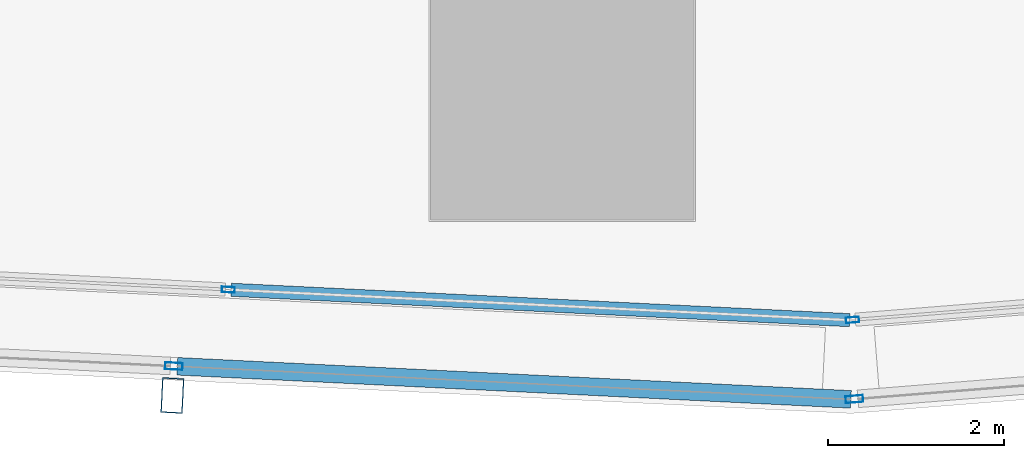
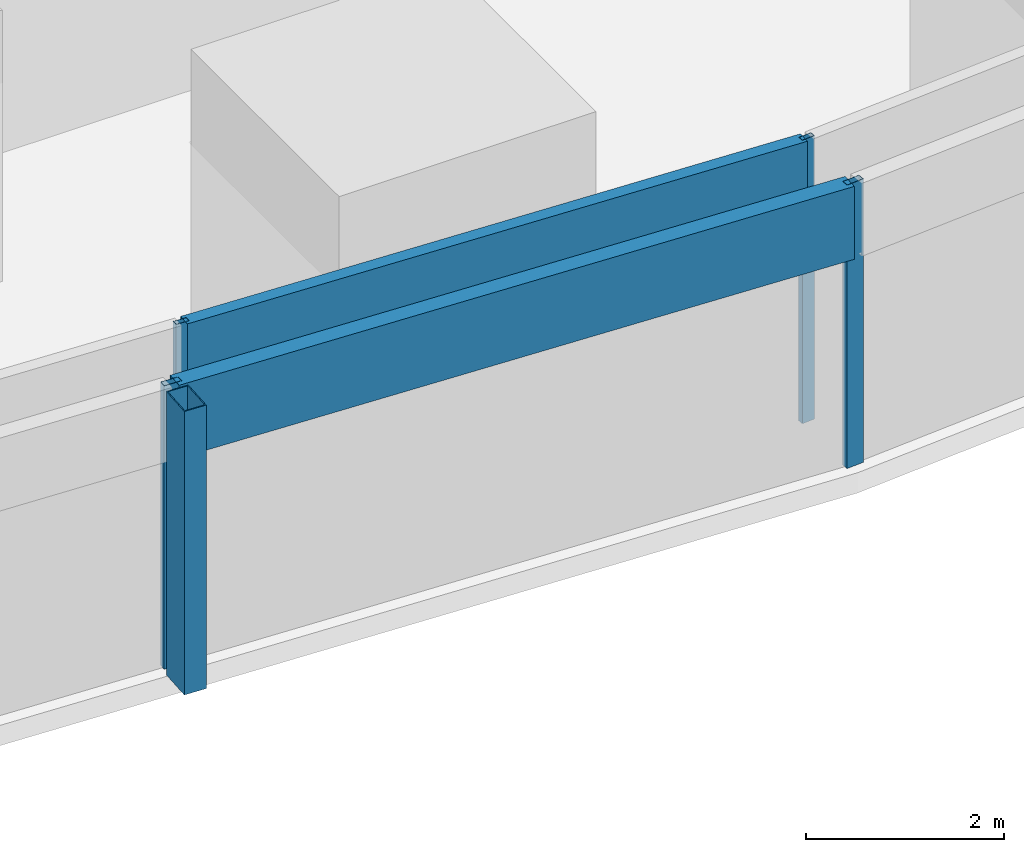
# One storey, part 9 of 45: 7 members, 4 elements without a shape of their own.
"""IFC4 building model written with IfcOpenShell, lengths in metres."""

import ifcopenshell
import ifcopenshell.guid

model = None  # the IFC model being written
_history = None  # IfcOwnerHistory: only IFC2X3 demands one
_inside = {}  # id of a spatial element -> (the spatial element, [elements in it])
_under = {}  # id of a project, library or spatial element -> (it, [spatial elements below it])
_declared = {}  # id of a project -> (the project, [libraries it declares])
_typed = {}  # id of a type object -> (the type object, [elements of that type])
_made_of = {}  # id of a material, layer set ... -> (it, [elements and type objects made of it])


def new_model(schema):
    """Start an empty IFC model of exactly this schema.

    Asked for "IFC4X3", IfcOpenShell would pick the latest addendum, in which some entities
    have other attributes; the version numbers below select the first issue.
    IFC2X3 requires an IfcOwnerHistory on every rooted entity: one is made here for all.
    """
    global model, _history
    if schema == "IFC4X3":
        model = ifcopenshell.file(schema_version=(4, 3, 0, 0))
    else:
        model = ifcopenshell.file(schema=schema)
    _inside.clear()
    _under.clear()
    _declared.clear()
    _typed.clear()
    _made_of.clear()
    _history = None
    if model.schema == "IFC2X3":
        org = make("IfcOrganization", Name="unknown")
        user = make(
            "IfcPersonAndOrganization",
            ThePerson=make("IfcPerson", FamilyName="unknown"),
            TheOrganization=org,
        )
        app = make(
            "IfcApplication",
            ApplicationDeveloper=org,
            Version="unknown",
            ApplicationFullName="unknown",
            ApplicationIdentifier="unknown",
        )
        _history = make(
            "IfcOwnerHistory",
            OwningUser=user,
            OwningApplication=app,
            ChangeAction="ADDED",
            CreationDate=0,
        )
    return model


def make(cls, **values):
    """One entity of the class cls with the attributes given. An attribute that is None is left unset."""
    return model.create_entity(
        cls, **{name: value for name, value in values.items() if value is not None}
    )


def rooted(cls, **values):
    """An entity with a GlobalId (a new one), such as an element, a storey or a relation."""
    return make(cls, GlobalId=ifcopenshell.guid.new(), OwnerHistory=_history, **values)


def si_unit(unit_type, name, prefix=None):
    """IfcSIUnit, for example si_unit("LENGTHUNIT", "METRE", prefix="MILLI")."""
    return make("IfcSIUnit", UnitType=unit_type, Prefix=prefix, Name=name)


def assignment(units):
    """IfcUnitAssignment: the units of a project."""
    return None if units is None else make("IfcUnitAssignment", Units=units)


def point(xyz):
    """IfcCartesianPoint."""
    return None if xyz is None else make("IfcCartesianPoint", Coordinates=xyz)


def direction(xyz):
    """IfcDirection."""
    return None if xyz is None else make("IfcDirection", DirectionRatios=xyz)


def frame(location, z_axis=None, x_axis=None):
    """IfcAxis2Placement3D, a coordinate frame: its origin and axes. An axis left out is left unset."""
    return make(
        "IfcAxis2Placement3D",
        Location=point(location),
        Axis=direction(z_axis),
        RefDirection=direction(x_axis),
    )


def frame_2d(location, x_axis=None):
    """IfcAxis2Placement2D, a coordinate frame in the plane: its origin and x axis."""
    return make(
        "IfcAxis2Placement2D", Location=point(location), RefDirection=direction(x_axis)
    )


def origin():
    """The frame at (0, 0, 0) with its axes left unset."""
    return frame((0.0, 0.0, 0.0))


def origin_2d():
    """The frame at (0, 0) in the plane with its x axis left unset."""
    return frame_2d((0.0, 0.0))


def place(relative_to, where):
    """IfcLocalPlacement: puts the frame where relative to a parent placement (None: the world)."""
    return make(
        "IfcLocalPlacement", PlacementRelTo=relative_to, RelativePlacement=where
    )


def context(
    kind, dimensions, precision=None, world=None, true_north=None, identifier=None
):
    """IfcGeometricRepresentationContext, for example the 3D "Model" context."""
    return make(
        "IfcGeometricRepresentationContext",
        ContextIdentifier=identifier,
        ContextType=kind,
        CoordinateSpaceDimension=dimensions,
        Precision=precision,
        WorldCoordinateSystem=world,
        TrueNorth=true_north,
    )


def subcontext(parent, identifier, kind, view, scale=None):
    """IfcGeometricRepresentationSubContext, for example "Body" below "Model"."""
    return make(
        "IfcGeometricRepresentationSubContext",
        ContextIdentifier=identifier,
        ContextType=kind,
        ParentContext=parent,
        TargetScale=scale,
        TargetView=view,
    )


def project(units=None, contexts=None):
    """IfcProject with its units and contexts."""
    return rooted(
        "IfcProject",
        Name="project",
        RepresentationContexts=contexts,
        UnitsInContext=assignment(units),
    )


def spatial(cls, under=None, at=None, **own):
    """A site, building, storey or space (cls), placed at a placement, below another one or the project."""
    s = rooted(cls, ObjectPlacement=at, **own)
    if under is not None:
        _under.setdefault(under.id(), (under, []))[1].append(s)
    return s


def profile(cls, at=None, kind="AREA", **sizes):
    """A parametric profile (cls). Its sizes go by their IFC names, for example OverallWidth=200.0."""
    return make(cls, ProfileType=kind, Position=at, **sizes)


def hollow_rectangle(**sizes):
    """IfcRectangleHollowProfileDef."""
    return profile("IfcRectangleHollowProfileDef", **sizes)


def extrude(swept, where, along, depth):
    """IfcExtrudedAreaSolid: the profile swept, set in the frame where, extruded along a direction by depth."""
    return make(
        "IfcExtrudedAreaSolid",
        SweptArea=swept,
        Position=where,
        ExtrudedDirection=direction(along),
        Depth=depth,
    )


def shape(context_of_items, identifier, shape_type, items):
    """IfcShapeRepresentation: the items that make up one representation, for example the "Body"."""
    return make(
        "IfcShapeRepresentation",
        ContextOfItems=context_of_items,
        RepresentationIdentifier=identifier,
        RepresentationType=shape_type,
        Items=items,
    )


def material(Name=None, Category=None):
    """IfcMaterial."""
    return make("IfcMaterial", Name=Name, Category=Category)


def material_profile(
    of_material, cross_section, Name=None, Category=None, Priority=None
):
    """IfcMaterialProfile: a cross section and its material."""
    return make(
        "IfcMaterialProfile",
        Name=Name,
        Material=of_material,
        Profile=cross_section,
        Priority=Priority,
        Category=Category,
    )


def profile_set(profiles, Name=None, composite=None):
    """IfcMaterialProfileSet."""
    return make(
        "IfcMaterialProfileSet",
        Name=Name,
        MaterialProfiles=profiles,
        CompositeProfile=composite,
    )


def made_of(thing, what):
    """Note that an element or type object is made of a material, layer set ...; save() writes the relation."""
    if what is not None:
        _made_of.setdefault(what.id(), (what, []))[1].append(thing)
    return thing


def type_object(cls, material=None, **own):
    """A type object (cls), such as IfcWallType, which elements share."""
    return made_of(rooted(cls, **own), material)


def element(
    cls,
    number,
    at=None,
    inside=None,
    cuts=None,
    type_object=None,
    material=None,
    context=None,
    identifier="Body",
    shape_type=None,
    held_by="IfcProductDefinitionShape",
    body=None,
    shapes=None,
    **own,
):
    """One element of the class cls, such as IfcWall. Its Tag is "e" and its number.

    at: its placement. inside: the storey or other place that contains it. cuts: it is an
    opening in that element (IfcRelVoidsElement). A single representation is given by context,
    identifier, shape_type and body (its items); several are given by shapes. held_by: the class
    of the entity that holds the representations. save() writes the other relations.
    """
    e = rooted(cls, Tag="e%d" % number, ObjectPlacement=at, **own)
    if body is not None:
        shapes = [shape(context, identifier, shape_type, body)]
    if shapes is not None:
        e.Representation = make(held_by, Representations=shapes)
    if inside is not None:
        _inside.setdefault(inside.id(), (inside, []))[1].append(e)
    if cuts is not None:
        rooted(
            "IfcRelVoidsElement", RelatingBuildingElement=cuts, RelatedOpeningElement=e
        )
    if type_object is not None:
        _typed.setdefault(type_object.id(), (type_object, []))[1].append(e)
    return made_of(e, material)


def aggregate(whole, parts):
    """IfcRelAggregates: a whole, such as a stair, and the parts it consists of."""
    return rooted("IfcRelAggregates", RelatingObject=whole, RelatedObjects=parts)


def save(model, path):
    """Write the relations noted so far, then the file.

    IfcRelAggregates (storeys below a building ...), IfcRelContainedInSpatialStructure (elements
    in a storey), IfcRelDefinesByType, IfcRelAssociatesMaterial and IfcRelDeclares: one each for
    every whole, place, type object, material and project.
    """
    for whole, parts in _under.values():
        aggregate(whole, parts)
    for where, things in _inside.values():
        rooted(
            "IfcRelContainedInSpatialStructure",
            RelatedElements=things,
            RelatingStructure=where,
        )
    for kind, things in _typed.values():
        rooted("IfcRelDefinesByType", RelatedObjects=things, RelatingType=kind)
    for what, things in _made_of.values():
        rooted("IfcRelAssociatesMaterial", RelatedObjects=things, RelatingMaterial=what)
    for by, libraries in _declared.values():
        rooted("IfcRelDeclares", RelatingContext=by, RelatedDefinitions=libraries)
    model.write(path)


model = new_model("IFC4")

# Units and contexts
model_context = context("Model", 3, precision=1e-05, world=origin(), true_north=direction((0.0, 1.0)))
body_context = subcontext(model_context, "Body", "Model", "MODEL_VIEW")
ifc_project = project(units=[si_unit("LENGTHUNIT", "METRE"), si_unit("AREAUNIT", "SQUARE_METRE"), si_unit("VOLUMEUNIT", "CUBIC_METRE"), si_unit("PLANEANGLEUNIT", "RADIAN"), si_unit("MASSUNIT", "GRAM", prefix="KILO")], contexts=[model_context])

# Site, building, storey
site_placement = place(None, origin())
site = spatial("IfcSite", under=ifc_project, at=site_placement, CompositionType="ELEMENT")
building_placement = place(site_placement, origin())
building = spatial("IfcBuilding", under=site, at=building_placement, Name="Rekha Terrace Tower", CompositionType="ELEMENT")
storey_placement = place(building_placement, frame((0.0, 0.0, 77.89990234375)))
storey = spatial("IfcBuildingStorey", under=building, at=storey_placement, Name="L19", CompositionType="ELEMENT", Elevation=77.89990234375)

# Curtain wall, member
ifc_material_1 = material(Name="Aluminium framing", Category="aluminium")
curtain_wall_type_1 = type_object("IfcCurtainWallType", Name="CW2 double skin outer glazing", PredefinedType="USERDEFINED", material=ifc_material_1)
curtain_wall_1_placement = place(storey_placement, origin())
curtain_wall_1 = element("IfcCurtainWall", 1, at=curtain_wall_1_placement, inside=storey, type_object=curtain_wall_type_1, Name="CW2 double skin outer glazing", ObjectType="DOUBLE SKIN OUTER GLAZING", PredefinedType="USERDEFINED")
ifc_material_2 = material(Name="Steel S355 with fluorocarbon finish", Category="steel")
ifc_material_profile_1 = material_profile(ifc_material_2, hollow_rectangle(XDim=0.25, YDim=0.39990234375, WallThickness=0.012451171875, at=origin_2d()), Name="RHS400x250x12.5")
ifc_profile_set_1 = profile_set([ifc_material_profile_1], Name="Steel S355 with fluorocarbon finish")
member_type_1 = type_object("IfcMemberType", Name="BL1 facade blade RHS 400 x 250", PredefinedType="USERDEFINED", material=ifc_profile_set_1)
member_1_placement = place(storey_placement, frame((37.562744140625, 4.904296875, 0.0), z_axis=(0.0, 0.0, 1.0), x_axis=(0.998796226835, -0.049051985279, 0.0)))
member_1 = element("IfcMember", 2, at=member_1_placement, type_object=member_type_1, Name="Facade blade", ObjectType="FACADE BLADE", PredefinedType="USERDEFINED", context=body_context, shape_type="SweptSolid", body=[
    extrude(hollow_rectangle(XDim=0.25, YDim=0.39990234375, WallThickness=0.012451171875, at=origin_2d()), origin(), (0.0, 0.0, 1.0), 3.5),
])

curtain_wall_type_2 = type_object("IfcCurtainWallType", Name="CW1 double skin inner glazing", PredefinedType="USERDEFINED", material=ifc_material_1)
curtain_wall_2_placement = place(storey_placement, origin())
curtain_wall_2 = element("IfcCurtainWall", 3, at=curtain_wall_2_placement, inside=storey, type_object=curtain_wall_type_2, Name="CW1 double skin inner glazing", ObjectType="DOUBLE SKIN INNER GLAZING", PredefinedType="USERDEFINED")
ifc_material_3 = material(Name="Aluminium mullion section", Category="aluminium")
ifc_material_profile_2 = material_profile(ifc_material_3, hollow_rectangle(XDim=0.06494140625, YDim=0.14990234375, WallThickness=0.00390625, at=origin_2d()), Name="AL RHS 65x150")
ifc_profile_set_2 = profile_set([ifc_material_profile_2], Name="Aluminium mullion section")
member_type_2 = type_object("IfcMemberType", Name="CW1 mullion RHS 65 x 150", PredefinedType="MULLION", material=ifc_profile_set_2)
member_2_placement = place(storey_placement, frame((38.19873046875, 6.109375, 0.0), z_axis=(0.0, 0.0, 1.0), x_axis=(0.049051717763, 0.998796239973, 0.0)))
member_2 = element("IfcMember", 4, at=member_2_placement, type_object=member_type_2, Name="CW1 mullion 3", PredefinedType="MULLION", context=body_context, shape_type="SweptSolid", body=[
    extrude(hollow_rectangle(XDim=0.06494140625, YDim=0.14990234375, WallThickness=0.00390625, at=origin_2d()), origin(), (0.0, 0.0, 1.0), 3.5),
])

curtain_wall_3_placement = place(storey_placement, origin())
curtain_wall_3 = element("IfcCurtainWall", 5, at=curtain_wall_3_placement, inside=storey, type_object=curtain_wall_type_2, Name="CW1 double skin inner glazing", ObjectType="DOUBLE SKIN INNER GLAZING", PredefinedType="USERDEFINED")
member_3_placement = place(storey_placement, frame((45.303955078125, 5.7646484375, 0.0), z_axis=(0.0, 0.0, 1.0), x_axis=(-0.079872204468, 0.996805111821, 0.0)))
member_3 = element("IfcMember", 6, at=member_3_placement, type_object=member_type_2, Name="CW1 mullion 1", PredefinedType="MULLION", context=body_context, shape_type="SweptSolid", body=[
    extrude(hollow_rectangle(XDim=0.06494140625, YDim=0.14990234375, WallThickness=0.00390625, at=origin_2d()), origin(), (0.0, 0.0, 1.0), 3.5),
])
aggregate(curtain_wall_3, [member_3])

# Member
ifc_material_4 = material(Name="Insulated aluminium spandrel box", Category="aluminium")
ifc_material_profile_3 = material_profile(ifc_material_4, hollow_rectangle(XDim=0.14990234375, YDim=0.89990234375, WallThickness=0.0029296875, at=origin_2d()), Name="AL SPANDREL BOX 150x900")
ifc_profile_set_3 = profile_set([ifc_material_profile_3], Name="Insulated aluminium spandrel box")
member_type_3 = type_object("IfcMemberType", Name="CW1 spandrel transom 150 x 900", PredefinedType="USERDEFINED", material=ifc_profile_set_3)
member_4_placement = place(storey_placement, frame((38.231201171875, 6.10791015625, 3.050048828125), z_axis=(0.998794897621, -0.049079043241, 0.0), x_axis=(0.049079043241, 0.998794897621, 0.0)))
member_4 = element("IfcMember", 7, at=member_4_placement, type_object=member_type_3, Name="CW1 spandrel transom 3", ObjectType="TRANSOM", PredefinedType="USERDEFINED", context=body_context, shape_type="SweptSolid", body=[
    extrude(hollow_rectangle(XDim=0.14990234375, YDim=0.89990234375, WallThickness=0.0029296875, at=origin_2d()), origin(), (0.0, 0.0, 1.0), 7.048828125),
])

aggregate(curtain_wall_2, [member_2, member_4])

ifc_material_profile_4 = material_profile(ifc_material_3, hollow_rectangle(XDim=0.080078125, YDim=0.199951171875, WallThickness=0.00390625, at=origin_2d()), Name="AL RHS 80x200")
ifc_profile_set_4 = profile_set([ifc_material_profile_4], Name="Aluminium mullion section")
member_type_4 = type_object("IfcMemberType", Name="CW2 mullion RHS 80 x 200", PredefinedType="MULLION", material=ifc_profile_set_4)
member_5_placement = place(storey_placement, frame((37.5791015625, 5.23876953125, 0.0), z_axis=(0.0, 0.0, 1.0), x_axis=(0.049051717746, 0.998796239974, 0.0)))
member_5 = element("IfcMember", 8, at=member_5_placement, type_object=member_type_4, Name="CW2 mullion 5", PredefinedType="MULLION", context=body_context, shape_type="SweptSolid", body=[
    extrude(hollow_rectangle(XDim=0.080078125, YDim=0.199951171875, WallThickness=0.00390625, at=origin_2d()), origin(), (0.0, 0.0, 1.0), 3.5),
])

# Curtain wall, member
curtain_wall_4_placement = place(storey_placement, origin())
curtain_wall_4 = element("IfcCurtainWall", 9, at=curtain_wall_4_placement, inside=storey, type_object=curtain_wall_type_1, Name="CW2 double skin outer glazing", ObjectType="DOUBLE SKIN OUTER GLAZING", PredefinedType="USERDEFINED")
member_6_placement = place(storey_placement, frame((45.325439453125, 4.863525390625, 0.0), z_axis=(0.0, 0.0, 1.0), x_axis=(-0.079872204468, 0.996805111821, 0.0)))
member_6 = element("IfcMember", 10, at=member_6_placement, type_object=member_type_4, Name="CW2 mullion 1", PredefinedType="MULLION", context=body_context, shape_type="SweptSolid", body=[
    extrude(hollow_rectangle(XDim=0.080078125, YDim=0.199951171875, WallThickness=0.00390625, at=origin_2d()), origin(), (0.0, 0.0, 1.0), 3.5),
])
aggregate(curtain_wall_4, [member_6])

# Member
ifc_material_profile_5 = material_profile(ifc_material_4, hollow_rectangle(XDim=0.199951171875, YDim=0.89990234375, WallThickness=0.0029296875, at=origin_2d()), Name="AL SPANDREL BOX 200x900")
ifc_profile_set_5 = profile_set([ifc_material_profile_5], Name="Insulated aluminium spandrel box")
member_type_5 = type_object("IfcMemberType", Name="CW2 spandrel transom 200 x 900", PredefinedType="USERDEFINED", material=ifc_profile_set_5)
member_7_placement = place(storey_placement, frame((37.619140625, 5.23681640625, 3.050048828125), z_axis=(0.998796518042, -0.049046055373, 0.0), x_axis=(0.049046055373, 0.998796518042, 0.0)))
member_7 = element("IfcMember", 11, at=member_7_placement, type_object=member_type_5, Name="CW2 spandrel transom 5", ObjectType="TRANSOM", PredefinedType="USERDEFINED", context=body_context, shape_type="SweptSolid", body=[
    extrude(hollow_rectangle(XDim=0.199951171875, YDim=0.89990234375, WallThickness=0.0029296875, at=origin_2d()), origin(), (0.0, 0.0, 1.0), 7.67578125),
])

aggregate(curtain_wall_1, [member_5, member_7, member_1])

save(model, "model.ifc")
